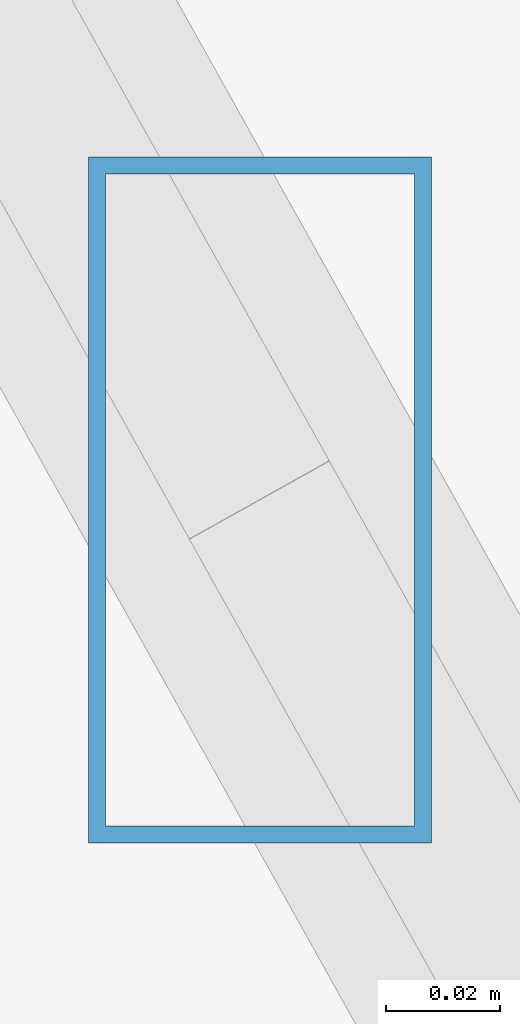
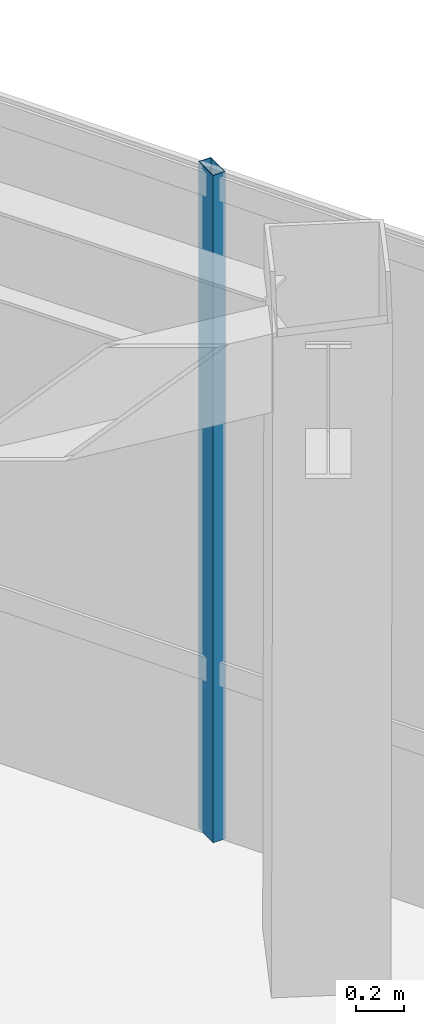
# One storey, part 25 of 45: 1 member, 1 element without a shape of its own.
"""IFC4 building model written with IfcOpenShell, lengths in metres."""

from ifc_helpers import new_model, si_unit, direction, frame, origin, origin_2d, place, context, subcontext, project, spatial, hollow_rectangle, extrude, source, transform, mapped, material, material_profile, profile_set, type_object, type_shapes, element, aggregate, save


model = new_model("IFC4")

# Units and contexts
model_context = context("Model", 3, precision=1e-05, world=origin(), true_north=direction((0.0, 1.0)))
body_context = subcontext(model_context, "Body", "Model", "MODEL_VIEW")
ifc_project = project(units=[si_unit("LENGTHUNIT", "METRE"), si_unit("AREAUNIT", "SQUARE_METRE"), si_unit("VOLUMEUNIT", "CUBIC_METRE"), si_unit("PLANEANGLEUNIT", "RADIAN"), si_unit("MASSUNIT", "GRAM", prefix="KILO")], contexts=[model_context])

# Site, building, storey
site_placement = place(None, origin())
site = spatial("IfcSite", under=ifc_project, at=site_placement, CompositionType="ELEMENT")
building_placement = place(site_placement, origin())
building = spatial("IfcBuilding", under=site, at=building_placement, Name="Caelisora Broadcast Tower", CompositionType="ELEMENT")
storey_placement = place(building_placement, frame((0.0, 0.0, 273.64990234375)))
storey = spatial("IfcBuildingStorey", under=building, at=storey_placement, Name="L72", CompositionType="ELEMENT", Elevation=273.64990234375)

# Curtain wall, member
ifc_material_1 = material(Name="Unitised Aluminium and Low-E Glass Curtain Wall", Category="glass")
curtain_wall_type = type_object("IfcCurtainWallType", Name="CW-Z5", PredefinedType="NOTDEFINED", material=ifc_material_1)
curtain_wall_placement = place(storey_placement, origin())
curtain_wall = element("IfcCurtainWall", 1, at=curtain_wall_placement, inside=storey, type_object=curtain_wall_type, Name="L72 curtain wall CW-Z5", PredefinedType="NOTDEFINED")
ifc_material_2 = material(Name="Aluminium 6063-T6 Anodised Terracotta Bronze", Category="aluminium")
ifc_material_profile = material_profile(ifc_material_2, hollow_rectangle(XDim=0.06005859375, YDim=0.1201171875, WallThickness=0.0029296875, at=origin_2d()), Name="Aluminium 6063-T6 Anodised Terracotta Bronze")
ifc_profile_set = profile_set([ifc_material_profile], Name="Aluminium 6063-T6 Anodised Terracotta Bronze")
member_type = type_object("IfcMemberType", Name="CWM-04", PredefinedType="MULLION", material=ifc_profile_set)
shared_shape = source(origin(), body_context, "Body", "SweptSolid", [
    extrude(hollow_rectangle(XDim=0.06005859375, YDim=0.1201171875, WallThickness=0.0029296875, at=origin_2d()), origin(), (0.0, 0.0, 1.0), 3.400146484375),
])
type_shapes(member_type, [shared_shape])
member_placement = place(storey_placement, frame((59.4287109375, 16.663818359375, 0.0), z_axis=(0.0, 0.0, 1.0), x_axis=(1.0, 0.0, 0.0)))
member = element("IfcMember", 2, at=member_placement, type_object=member_type, Name="L72-CW-B03 mullion #2", PredefinedType="MULLION", context=body_context, shape_type="MappedRepresentation", body=[
    mapped(shared_shape, transform((0.0, 0.0, 0.0), scale=1.0)),
])
aggregate(curtain_wall, [member])

save(model, "model.ifc")
